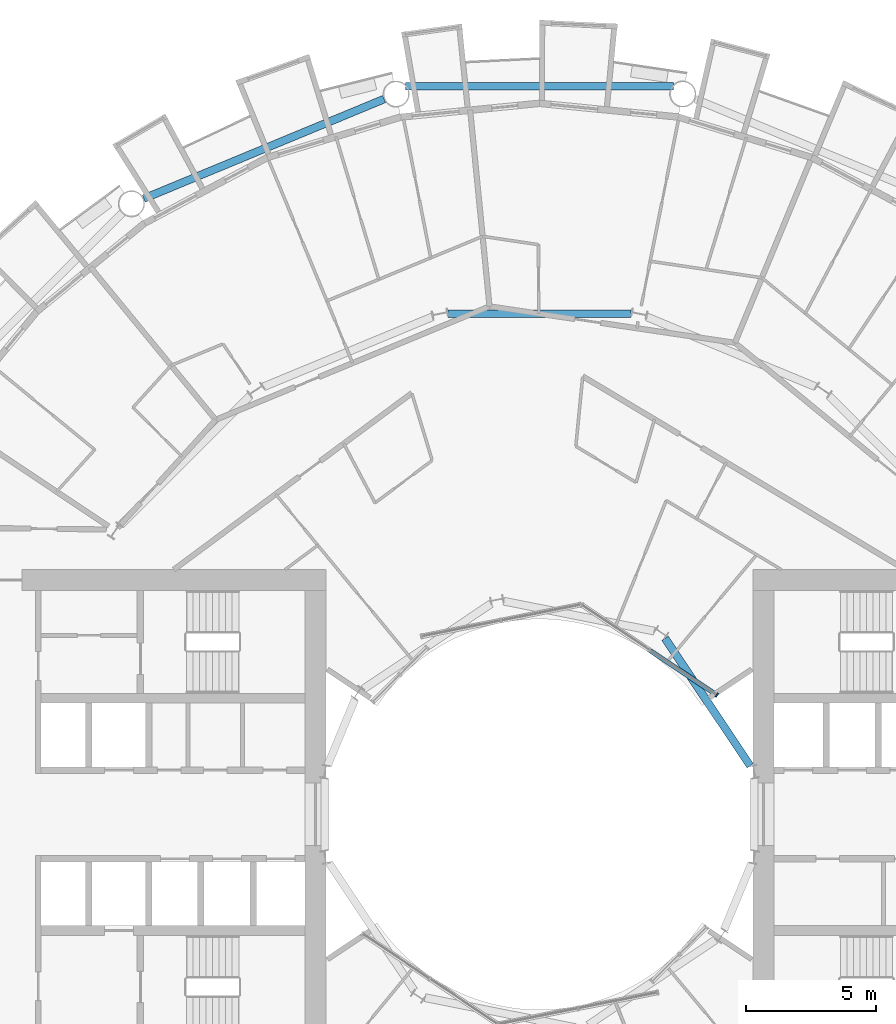
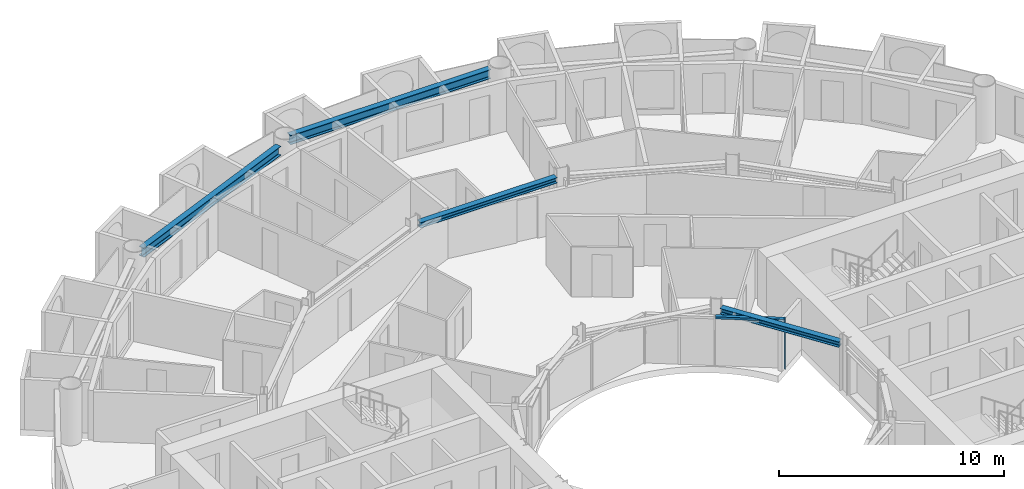
# One storey, part 8 of 26: 4 beams, 2 members, 1 element without a shape of its own.
"""IFC4 building model written with IfcOpenShell, lengths in metres."""

from ifc_helpers import new_model, si_unit, direction, frame, origin, origin_2d, place, context, subcontext, project, spatial, rectangle, i_section, extrude, material, layer, layer_set, material_profile, profile_set, type_object, element, aggregate, save


model = new_model("IFC4")

# Units and contexts
model_context = context("Model", 3, precision=1e-05, world=origin(), true_north=direction((0.0, 1.0)))
body_context = subcontext(model_context, "Body", "Model", "MODEL_VIEW")
ifc_project = project(units=[si_unit("LENGTHUNIT", "METRE"), si_unit("AREAUNIT", "SQUARE_METRE"), si_unit("VOLUMEUNIT", "CUBIC_METRE"), si_unit("PLANEANGLEUNIT", "RADIAN"), si_unit("MASSUNIT", "GRAM", prefix="KILO")], contexts=[model_context])

# Site, building, storey
site_placement = place(None, origin())
site = spatial("IfcSite", under=ifc_project, at=site_placement, CompositionType="ELEMENT")
building_placement = place(site_placement, origin())
building = spatial("IfcBuilding", under=site, at=building_placement, Name="Maasbend Ring Residences", CompositionType="ELEMENT")
storey_placement = place(building_placement, frame((0.0, 0.0, 50.25)))
storey = spatial("IfcBuildingStorey", under=building, at=storey_placement, Name="L14", CompositionType="ELEMENT", Elevation=50.25)

# Curtain wall, members
ifc_material_1 = material(Name="Aluminium and clear glass", Category="aluminium")
ifc_layer = layer(ifc_material_1, 0.179931640625)
ifc_layer_set = layer_set([ifc_layer], Name="CW-W")
curtain_wall_type = type_object("IfcCurtainWallType", Name="CW-W", PredefinedType="NOTDEFINED", material=ifc_layer_set)
curtain_wall_placement = place(storey_placement, origin())
curtain_wall = element("IfcCurtainWall", 1, at=curtain_wall_placement, inside=storey, type_object=curtain_wall_type, Name="Well curtain wall N1", PredefinedType="NOTDEFINED")
ifc_material_2 = material(Name="Aluminium 6063-T6", Category="aluminium")
ifc_material_profile_1 = material_profile(ifc_material_2, rectangle(XDim=0.179931640625, YDim=0.06005859375, at=origin_2d()), Name="AL 180x60")
ifc_profile_set_1 = profile_set([ifc_material_profile_1], Name="Aluminium 6063-T6")
member_type_1 = type_object("IfcMemberType", Name="CWM-W", PredefinedType="MULLION", material=ifc_profile_set_1)
member_1_placement = place(storey_placement, frame((6.805908203125, 4.580810546875, 0.0), z_axis=(0.0, 0.0, 1.0), x_axis=(-0.55557023302, -0.831469612303, 0.0)))
member_1 = element("IfcMember", 2, at=member_1_placement, type_object=member_type_1, Name="Mullion well face", PredefinedType="MULLION", context=body_context, shape_type="SweptSolid", body=[
    extrude(rectangle(XDim=0.179931640625, YDim=0.06005859375, at=origin_2d()), origin(), (0.0, 0.0, 1.0), 2.699951171875),
])
ifc_material_3 = material(Name="Aluminium 6063-T6", Category="aluminium")
ifc_material_profile_2 = material_profile(ifc_material_3, rectangle(XDim=0.179931640625, YDim=0.1201171875, at=origin_2d()), Name="AL 180x120")
ifc_profile_set_2 = profile_set([ifc_material_profile_2], Name="Aluminium 6063-T6")
member_type_2 = type_object("IfcMemberType", Name="CWT-W", PredefinedType="USERDEFINED", material=ifc_profile_set_2)
member_2_placement = place(storey_placement, frame((6.781005859375, 4.59765625, 2.639892578125), z_axis=(-0.831496422459, 0.555530106689, 0.0), x_axis=(-0.555530106689, -0.831496422459, 0.0)))
member_2 = element("IfcMember", 3, at=member_2_placement, type_object=member_type_2, Name="Transom well face", ObjectType="TRANSOM", PredefinedType="USERDEFINED", context=body_context, shape_type="SweptSolid", body=[
    extrude(rectangle(XDim=0.179931640625, YDim=0.1201171875, at=origin_2d()), origin(), (0.0, 0.0, 1.0), 3.053955078125),
])
aggregate(curtain_wall, [member_1, member_2])

# Beams
ifc_material_4 = material(Name="Steel S355J2", Category="steel")
ifc_material_profile_3 = material_profile(ifc_material_4, i_section(OverallWidth=0.300048828125, OverallDepth=0.300048828125, WebThickness=0.010986328125, FlangeThickness=0.01904296875, FilletRadius=0.027099609375, at=origin_2d()), Name="HEB 300")
ifc_profile_set_3 = profile_set([ifc_material_profile_3], Name="Steel S355J2")
beam_type_1 = type_object("IfcBeamType", Name="Corridor ring beam HEB 300", PredefinedType="BEAM", material=ifc_profile_set_3)
beam_1_placement = place(storey_placement, frame((3.5078125, 19.223388671875, 2.550048828125), z_axis=(-1.0, 0.0, 0.0), x_axis=(0.0, -1.0, 0.0)))
element("IfcBeam", 4, at=beam_1_placement, inside=storey, type_object=beam_type_1, Name="Corridor ring beam", PredefinedType="BEAM", context=body_context, shape_type="SweptSolid", body=[
    extrude(i_section(OverallWidth=0.300048828125, OverallDepth=0.300048828125, WebThickness=0.010986328125, FlangeThickness=0.01904296875, FilletRadius=0.027099609375, at=origin_2d()), origin(), (0.0, 0.0, 1.0), 7.015625),
])
ifc_material_5 = material(Name="Steel S355J2", Category="steel")
ifc_material_profile_4 = material_profile(ifc_material_5, i_section(OverallWidth=0.300048828125, OverallDepth=0.5, WebThickness=0.014404296875, FlangeThickness=0.028076171875, FilletRadius=0.027099609375, at=origin_2d()), Name="HEB 500")
ifc_profile_set_4 = profile_set([ifc_material_profile_4], Name="Steel S355J2")
beam_type_2 = type_object("IfcBeamType", Name="Spandrel ring beam HEB 500", PredefinedType="SPANDREL", material=ifc_profile_set_4)
beam_2_placement = place(storey_placement, frame((5.1435546875, 27.9580078125, 2.449951171875), z_axis=(-1.0, 0.0, 0.0), x_axis=(0.0, -1.0, 0.0)))
element("IfcBeam", 5, at=beam_2_placement, inside=storey, type_object=beam_type_2, Name="Spandrel ring beam", PredefinedType="SPANDREL", context=body_context, shape_type="SweptSolid", body=[
    extrude(i_section(OverallWidth=0.300048828125, OverallDepth=0.5, WebThickness=0.014404296875, FlangeThickness=0.028076171875, FilletRadius=0.027099609375, at=origin_2d()), origin(), (0.0, 0.0, 1.0), 10.287109375),
])
beam_3_placement = place(storey_placement, frame((-5.970703125, 27.463623046875, 2.449951171875), z_axis=(-0.923886337442, -0.382667003395, 0.0), x_axis=(0.382667003395, -0.923886337442, 0.0)))
element("IfcBeam", 6, at=beam_3_placement, inside=storey, type_object=beam_type_2, Name="Spandrel ring beam", PredefinedType="SPANDREL", context=body_context, shape_type="SweptSolid", body=[
    extrude(i_section(OverallWidth=0.300048828125, OverallDepth=0.5, WebThickness=0.014404296875, FlangeThickness=0.028076171875, FilletRadius=0.027099609375, at=origin_2d()), origin(), (0.0, 0.0, 1.0), 9.9873046875),
])
ifc_material_6 = material(Name="Steel S355J2", Category="steel")
ifc_material_profile_5 = material_profile(ifc_material_6, i_section(OverallWidth=0.300048828125, OverallDepth=0.300048828125, WebThickness=0.010986328125, FlangeThickness=0.01904296875, FilletRadius=0.027099609375, at=origin_2d()), Name="HEB 300")
ifc_profile_set_5 = profile_set([ifc_material_profile_5], Name="Steel S355J2")
beam_type_3 = type_object("IfcBeamType", Name="Well edge beam HEB 300", PredefinedType="BEAM", material=ifc_profile_set_5)
beam_4_placement = place(storey_placement, frame((8.08837890625, 1.86376953125, 2.550048828125), z_axis=(-0.555589782054, 0.831456549723, 0.0), x_axis=(-0.831456549723, -0.555589782054, 0.0)))
element("IfcBeam", 7, at=beam_4_placement, inside=storey, type_object=beam_type_3, Name="Well edge beam", PredefinedType="BEAM", context=body_context, shape_type="SweptSolid", body=[
    extrude(i_section(OverallWidth=0.300048828125, OverallDepth=0.300048828125, WebThickness=0.010986328125, FlangeThickness=0.01904296875, FilletRadius=0.027099609375, at=origin_2d()), origin(), (0.0, 0.0, 1.0), 5.887939453125),
])

save(model, "model.ifc")
